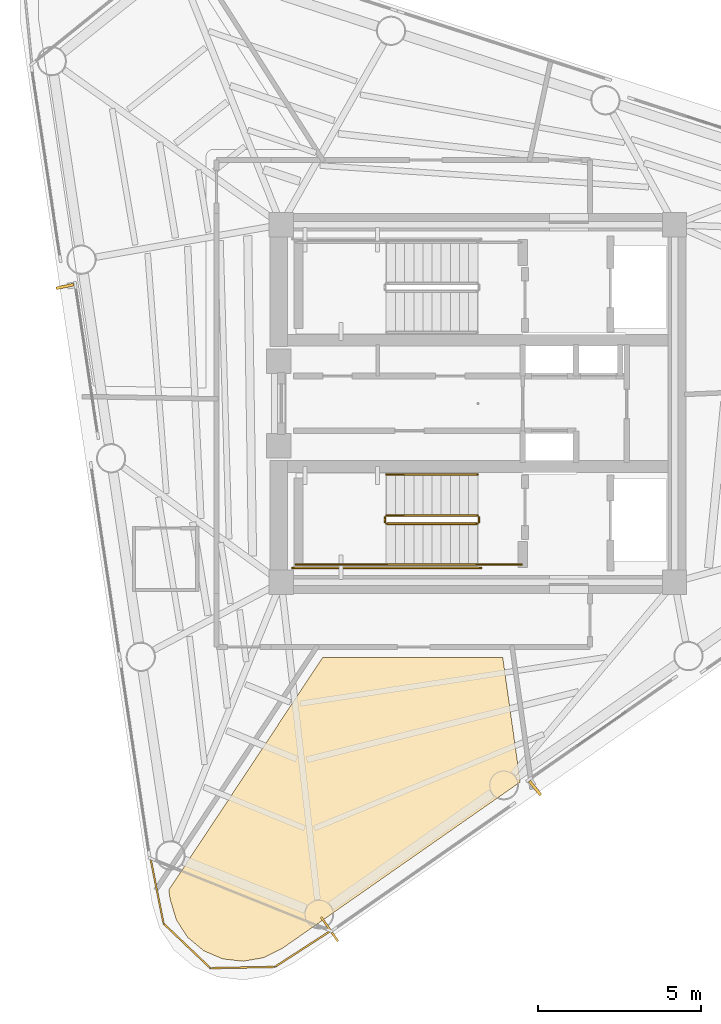
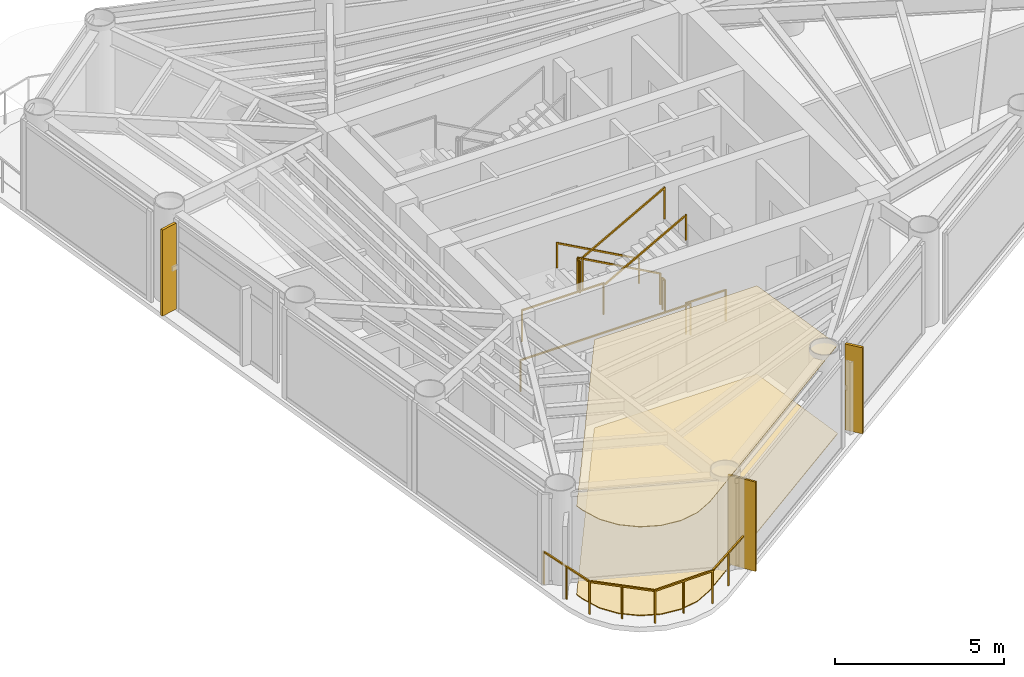
# One storey, part 7 of 10: 10 railings, 3 coverings, 2 shading devices.
"""IFC4 building model written with IfcOpenShell, lengths in metres."""

from ifc_helpers import new_model, si_unit, direction, frame, origin, origin_2d, place, context, subcontext, project, spatial, polyline, rectangle, outline, extrude, source, transform, mapped, material, layer, layer_set, material_profile, profile_set, type_object, element, save


model = new_model("IFC4")

# Units and contexts
model_context = context("Model", 3, precision=1e-05, world=origin(), true_north=direction((0.0, 1.0)))
body_context = subcontext(model_context, "Body", "Model", "MODEL_VIEW")
ifc_project = project(units=[si_unit("LENGTHUNIT", "METRE"), si_unit("AREAUNIT", "SQUARE_METRE"), si_unit("VOLUMEUNIT", "CUBIC_METRE"), si_unit("PLANEANGLEUNIT", "RADIAN"), si_unit("MASSUNIT", "GRAM", prefix="KILO")], contexts=[model_context])

# Site, building, storey
site_placement = place(None, origin())
site = spatial("IfcSite", under=ifc_project, at=site_placement, CompositionType="ELEMENT")
building_placement = place(site_placement, origin())
building = spatial("IfcBuilding", under=site, at=building_placement, Name="Yunling Apex Tower", CompositionType="ELEMENT")
storey_placement = place(building_placement, frame((0.0, 0.0, 277.949951171875)))
storey = spatial("IfcBuildingStorey", under=building, at=storey_placement, Name="L68", CompositionType="ELEMENT", Elevation=277.949951171875)

# Coverings
ifc_material_1 = material(Name="Acoustic mineral fibre ceiling")
ifc_layer_1 = layer(ifc_material_1, 0.02490234375)
ifc_layer_set_1 = layer_set([ifc_layer_1], Name="Acoustic mineral fibre ceiling")
covering_type_1 = type_object("IfcCoveringType", Name="CV-CLG-1", PredefinedType="CEILING", material=ifc_layer_set_1)
covering_1_placement = place(storey_placement, frame((0.0, 0.0, 3.195068359375)))
element("IfcCovering", 1, at=covering_1_placement, inside=storey, type_object=covering_type_1, Name="CV-CL-SP-L68-AMN2", PredefinedType="CEILING", context=body_context, shape_type="SweptSolid", body=[
    extrude(outline(polyline([(1.3037109375, -11.64697265625), (-5.991943359375, -16.747802734375), (-6.5966796875, -17.05126953125), (-7.221923828125, -17.16162109375), (-7.8525390625, -17.08837890625), (-8.435791015625, -16.83740234375), (-8.922607421875, -16.43017578125), (-9.272705078125, -15.900390625), (-9.468505859375, -15.2529296875), (-9.510986328125, -14.967529296875), (-4.7802734375, -7.820068359375), (0.765869140625, -7.820068359375), (1.3037109375, -11.64697265625)])), origin(), (0.0, 0.0, 1.0), 0.02490234375),
])
ifc_material_2 = material(Name="Polished granite stone", Category="masonry")
ifc_layer_2 = layer(ifc_material_2, 0.030029296875)
ifc_layer_set_2 = layer_set([ifc_layer_2], Name="Polished granite stone")
covering_type_2 = type_object("IfcCoveringType", Name="CV-FLR-1", PredefinedType="FLOORING", material=ifc_layer_set_2)
covering_2_placement = place(storey_placement, origin())
element("IfcCovering", 2, at=covering_2_placement, inside=storey, type_object=covering_type_2, Name="CV-FL-SP-L68-AMN2", PredefinedType="FLOORING", context=body_context, shape_type="SweptSolid", body=[
    extrude(outline(polyline([(1.3037109375, -11.64697265625), (-5.991943359375, -16.747802734375), (-6.5966796875, -17.05126953125), (-7.221923828125, -17.16162109375), (-7.8525390625, -17.08837890625), (-8.435791015625, -16.83740234375), (-8.922607421875, -16.43017578125), (-9.272705078125, -15.900390625), (-9.468505859375, -15.2529296875), (-9.510986328125, -14.967529296875), (-4.7802734375, -7.820068359375), (0.765869140625, -7.820068359375), (1.3037109375, -11.64697265625)])), origin(), (0.0, 0.0, 1.0), 0.030029296875),
])

# Railings
ifc_material_3 = material(Name="Bronze anodised aluminium", Category="aluminium")
railing_type_1 = type_object("IfcRailingType", Name="RL-BAL-1200", PredefinedType="BALUSTRADE", material=ifc_material_3)
railing_1_placement = place(storey_placement, frame((-4.528564453125, -16.22509765625, 0.0)))
element("IfcRailing", 3, at=railing_1_placement, inside=storey, type_object=railing_type_1, Name="RL-CRNSILL-L68-3", PredefinedType="BALUSTRADE", context=body_context, shape_type="SweptSolid", body=[
    extrude(rectangle(XDim=0.0439453125, YDim=0.0439453125, at=origin_2d()), origin(), (0.0, 0.0, 1.0), 1.199951171875),
    extrude(rectangle(XDim=0.0439453125, YDim=0.0439453125, at=origin_2d()), frame((-1.718017578125, -1.109130859375, 0.0)), (0.0, 0.0, 1.0), 1.199951171875),
    extrude(rectangle(XDim=0.050048828125, YDim=0.050048828125, at=origin_2d()), frame((-0.0322265625, -0.020751953125, 1.1748046875), z_axis=(-0.840133449473, -0.542379744345, 0.0), x_axis=(0.542379744345, -0.840133449473, 0.0)), (0.0, 0.0, 1.0), 1.96826171875),
    extrude(rectangle(XDim=0.0439453125, YDim=0.0439453125, at=origin_2d()), frame((-0.85888671875, -0.5546875, 0.0)), (0.0, 0.0, 1.0), 1.14599609375),
    extrude(rectangle(XDim=0.0439453125, YDim=0.0439453125, at=origin_2d()), frame((-3.700439453125, -1.147705078125, 0.0)), (0.0, 0.0, 1.0), 1.199951171875),
    extrude(rectangle(XDim=0.050048828125, YDim=0.050048828125, at=origin_2d()), frame((-1.75634765625, -1.10986328125, 1.1748046875), z_axis=(-0.999810744366, -0.019454445518, 0.0), x_axis=(0.019454445518, -0.999810744366, 0.0)), (0.0, 0.0, 1.0), 1.90625),
    extrude(rectangle(XDim=0.0439453125, YDim=0.0439453125, at=origin_2d()), frame((-2.709228515625, -1.12841796875, 0.0)), (0.0, 0.0, 1.0), 1.14599609375),
    extrude(rectangle(XDim=0.0439453125, YDim=0.0439453125, at=origin_2d()), frame((-5.141845703125, 0.223388671875, 0.0)), (0.0, 0.0, 1.0), 1.199951171875),
    extrude(rectangle(XDim=0.050048828125, YDim=0.050048828125, at=origin_2d()), frame((-3.728271484375, -1.121337890625, 1.1748046875), z_axis=(-0.72455806169, 0.689213765998, 0.0), x_axis=(-0.689213765998, -0.72455806169, 0.0)), (0.0, 0.0, 1.0), 1.91259765625),
    extrude(rectangle(XDim=0.0439453125, YDim=0.0439453125, at=origin_2d()), frame((-4.421142578125, -0.462158203125, 0.0)), (0.0, 0.0, 1.0), 1.14599609375),
    extrude(rectangle(XDim=0.0439453125, YDim=0.0439453125, at=origin_2d()), frame((-5.542236328125, 2.228271484375, 0.0)), (0.0, 0.0, 1.0), 1.199951171875),
    extrude(rectangle(XDim=0.050048828125, YDim=0.050048828125, at=origin_2d()), frame((-5.1494140625, 0.260986328125, 1.1748046875), z_axis=(-0.195840554381, 0.980635751571, 0.0), x_axis=(-0.980635751571, -0.195840554381, 0.0)), (0.0, 0.0, 1.0), 1.9677734375),
    extrude(rectangle(XDim=0.0439453125, YDim=0.0439453125, at=origin_2d()), frame((-5.342041015625, 1.225830078125, 0.0)), (0.0, 0.0, 1.0), 1.14599609375),
])
ifc_material_4 = material(Name="Steel Q355B", Category="steel")
railing_type_2 = type_object("IfcRailingType", Name="RL-GRD-1150", PredefinedType="GUARDRAIL", material=ifc_material_4)
railing_2_placement = place(storey_placement, frame((-0.010009765625, -3.449951171875, 0.154541015625)))
element("IfcRailing", 4, at=railing_2_placement, inside=storey, type_object=railing_type_2, Name="L68 ST-2 stair guard 1", PredefinedType="GUARDRAIL", context=body_context, shape_type="SweptSolid", body=[
    extrude(rectangle(XDim=0.0439453125, YDim=0.0439453125, at=origin_2d()), origin(), (0.0, 0.0, 1.0), 1.14990234375),
    extrude(rectangle(XDim=0.0439453125, YDim=0.0439453125, at=origin_2d()), frame((-2.800048828125, 0.0, 1.54541015625)), (0.0, 0.0, 1.0), 1.14990234375),
    extrude(rectangle(XDim=0.050048828125, YDim=0.050048828125, at=origin_2d()), frame((-0.033447265625, 0.0, 1.143310546875), z_axis=(-0.875504190374, 0.0, 0.483210526207), x_axis=(0.0, -1.0, 0.0)), (0.0, 0.0, 1.0), 3.12158203125),
])
railing_3_placement = place(storey_placement, frame((-2.860107421875, -3.5, 1.699951171875)))
element("IfcRailing", 5, at=railing_3_placement, inside=storey, type_object=railing_type_2, Name="L68 ST-2 stair guard 2", PredefinedType="GUARDRAIL", context=body_context, shape_type="SweptSolid", body=[
    extrude(rectangle(XDim=0.0439453125, YDim=0.0439453125, at=origin_2d()), origin(), (0.0, 0.0, 1.0), 1.14990234375),
    extrude(rectangle(XDim=0.0439453125, YDim=0.0439453125, at=origin_2d()), frame((0.0, -0.14990234375, 0.0)), (0.0, 0.0, 1.0), 1.14990234375),
    extrude(rectangle(XDim=0.050048828125, YDim=0.050048828125, at=origin_2d()), frame((0.0, -0.038330078125, 1.125), z_axis=(0.0, -1.0, 0.0), x_axis=(1.0, 0.0, 0.0)), (0.0, 0.0, 1.0), 0.0732421875),
])
railing_4_placement = place(storey_placement, frame((-2.81005859375, -4.9599609375, 1.699951171875)))
element("IfcRailing", 6, at=railing_4_placement, inside=storey, type_object=railing_type_2, Name="L68 ST-2 stair guard 3", PredefinedType="GUARDRAIL", context=body_context, shape_type="SweptSolid", body=[
    extrude(rectangle(XDim=0.0439453125, YDim=0.0439453125, at=origin_2d()), origin(), (0.0, 0.0, 1.0), 1.14990234375),
    extrude(rectangle(XDim=0.0439453125, YDim=0.0439453125, at=origin_2d()), frame((-2.7900390625, 0.0, 0.0)), (0.0, 0.0, 1.0), 1.14990234375),
    extrude(rectangle(XDim=0.050048828125, YDim=0.050048828125, at=origin_2d()), frame((-0.038330078125, 0.0, 1.125), z_axis=(-1.0, 0.0, 0.0), x_axis=(0.0, -1.0, 0.0)), (0.0, 0.0, 1.0), 2.71337890625),
])
railing_5_placement = place(storey_placement, frame((-2.81005859375, -3.699951171875, 1.8544921875)))
element("IfcRailing", 7, at=railing_5_placement, inside=storey, type_object=railing_type_2, Name="L68 ST-2 stair guard 4", PredefinedType="GUARDRAIL", context=body_context, shape_type="SweptSolid", body=[
    extrude(rectangle(XDim=0.0439453125, YDim=0.0439453125, at=origin_2d()), origin(), (0.0, 0.0, 1.0), 1.14990234375),
    extrude(rectangle(XDim=0.0439453125, YDim=0.0439453125, at=origin_2d()), frame((2.800048828125, 0.0, 1.545654296875)), (0.0, 0.0, 1.0), 1.14990234375),
    extrude(rectangle(XDim=0.050048828125, YDim=0.050048828125, at=origin_2d()), frame((0.033447265625, 0.0, 1.143310546875), z_axis=(0.875471895205, 0.0, 0.483269035534), x_axis=(0.0, 1.0, 0.0)), (0.0, 0.0, 1.0), 3.12158203125),
])
railing_6_placement = place(storey_placement, frame((0.0400390625, -3.5, 0.0)))
element("IfcRailing", 8, at=railing_6_placement, inside=storey, type_object=railing_type_2, Name="L68 ST-2 stair guard 5", PredefinedType="GUARDRAIL", context=body_context, shape_type="SweptSolid", body=[
    extrude(rectangle(XDim=0.0439453125, YDim=0.0439453125, at=origin_2d()), origin(), (0.0, 0.0, 1.0), 1.14990234375),
    extrude(rectangle(XDim=0.0439453125, YDim=0.0439453125, at=origin_2d()), frame((0.0, -0.14990234375, 0.0)), (0.0, 0.0, 1.0), 1.14990234375),
    extrude(rectangle(XDim=0.050048828125, YDim=0.050048828125, at=origin_2d()), frame((0.0, -0.038330078125, 1.125), z_axis=(0.0, -1.0, 0.0), x_axis=(1.0, 0.0, 0.0)), (0.0, 0.0, 1.0), 0.0732421875),
])
railing_7_placement = place(storey_placement, frame((1.35009765625, -4.9599609375, 0.0)))
element("IfcRailing", 9, at=railing_7_placement, inside=storey, type_object=railing_type_2, Name="L68 ST-2 stair guard 6", PredefinedType="GUARDRAIL", context=body_context, shape_type="SweptSolid", body=[
    extrude(rectangle(XDim=0.0439453125, YDim=0.0439453125, at=origin_2d()), origin(), (0.0, 0.0, 1.0), 1.14990234375),
    extrude(rectangle(XDim=0.0439453125, YDim=0.0439453125, at=origin_2d()), frame((-1.360107421875, 0.0, 0.0)), (0.0, 0.0, 1.0), 1.14990234375),
    extrude(rectangle(XDim=0.050048828125, YDim=0.050048828125, at=origin_2d()), frame((-0.038330078125, 0.0, 1.125), z_axis=(-1.0, 0.0, 0.0), x_axis=(0.0, -1.0, 0.0)), (0.0, 0.0, 1.0), 1.283447265625),
])
railing_8_placement = place(storey_placement, frame((0.090087890625, -5.06005859375, 0.0)))
element("IfcRailing", 10, at=railing_8_placement, inside=storey, type_object=railing_type_2, Name="L68 ST-2 stair guard 7", PredefinedType="GUARDRAIL", context=body_context, shape_type="SweptSolid", body=[
    extrude(rectangle(XDim=0.0439453125, YDim=0.0439453125, at=origin_2d()), origin(), (0.0, 0.0, 1.0), 1.14990234375),
    extrude(rectangle(XDim=0.0439453125, YDim=0.0439453125, at=origin_2d()), frame((-5.7900390625, 0.0, 0.0)), (0.0, 0.0, 1.0), 1.14990234375),
    extrude(rectangle(XDim=0.050048828125, YDim=0.050048828125, at=origin_2d()), frame((-0.038330078125, 0.0, 1.125), z_axis=(-1.0, 0.0, 0.0), x_axis=(0.0, -1.0, 0.0)), (0.0, 0.0, 1.0), 5.71337890625),
])
ifc_material_5 = material(Name="Silver anodised aluminium", Category="aluminium")
railing_type_3 = type_object("IfcRailingType", Name="RL-HND-900", PredefinedType="HANDRAIL", material=ifc_material_5)
railing_9_placement = place(storey_placement, frame((-0.010009765625, -2.18994140625, 0.154541015625)))
element("IfcRailing", 11, at=railing_9_placement, inside=storey, type_object=railing_type_3, Name="L68 ST-2 stair handrail 1", PredefinedType="HANDRAIL", context=body_context, shape_type="SweptSolid", body=[
    extrude(rectangle(XDim=0.0439453125, YDim=0.0439453125, at=origin_2d()), origin(), (0.0, 0.0, 1.0), 0.919921875),
    extrude(rectangle(XDim=0.0439453125, YDim=0.0439453125, at=origin_2d()), frame((-2.800048828125, 0.0, 1.54541015625)), (0.0, 0.0, 1.0), 0.919921875),
    extrude(rectangle(XDim=0.050048828125, YDim=0.050048828125, at=origin_2d()), frame((-0.033447265625, 0.0, 0.913330078125), z_axis=(-0.875504190374, 0.0, 0.483210526207), x_axis=(0.0, -1.0, 0.0)), (0.0, 0.0, 1.0), 3.12158203125),
])
railing_10_placement = place(storey_placement, frame((-2.81005859375, -4.9599609375, 1.8544921875)))
element("IfcRailing", 12, at=railing_10_placement, inside=storey, type_object=railing_type_3, Name="L68 ST-2 stair handrail 2", PredefinedType="HANDRAIL", context=body_context, shape_type="SweptSolid", body=[
    extrude(rectangle(XDim=0.0439453125, YDim=0.0439453125, at=origin_2d()), origin(), (0.0, 0.0, 1.0), 0.919921875),
    extrude(rectangle(XDim=0.0439453125, YDim=0.0439453125, at=origin_2d()), frame((2.800048828125, 0.0, 1.545654296875)), (0.0, 0.0, 1.0), 0.919921875),
    extrude(rectangle(XDim=0.050048828125, YDim=0.050048828125, at=origin_2d()), frame((0.033447265625, 0.0, 0.913330078125), z_axis=(0.875471895205, 0.0, 0.483269035534), x_axis=(0.0, 1.0, 0.0)), (0.0, 0.0, 1.0), 3.12158203125),
])

# Covering
ifc_layer_3 = layer(ifc_material_3, 0.0400390625)
ifc_layer_set_3 = layer_set([ifc_layer_3], Name="Bronze anodised aluminium")
covering_type_3 = type_object("IfcCoveringType", Name="CV-CLD-1", PredefinedType="CLADDING", material=ifc_layer_set_3)
shared_shape_1 = source(origin(), body_context, "Body", "SweptSolid", [
    extrude(rectangle(XDim=0.06005859375, YDim=0.89990234375, at=origin_2d()), origin(), (0.0, 0.0, 1.0), 3.219970703125),
])
covering_3_placement = place(storey_placement, frame((-4.56298828125, -16.17578125, 0.0), z_axis=(0.0, 0.0, 1.0), x_axis=(0.819552276527, 0.573004420611, 0.0)))
element("IfcCovering", 13, at=covering_3_placement, inside=storey, type_object=covering_type_3, Name="CV-CLD-L68", PredefinedType="CLADDING", context=body_context, shape_type="MappedRepresentation", body=[
    mapped(shared_shape_1, transform((0.0, 0.0, 0.0), scale=1.0)),
])

# Shading devices
ifc_material_profile = material_profile(ifc_material_3, rectangle(XDim=0.0849609375, YDim=0.550048828125, at=origin_2d()))
ifc_profile_set = profile_set([ifc_material_profile], Name="Bronze anodised aluminium")
shading_device_type = type_object("IfcShadingDeviceType", Name="FN-BRZ-3", PredefinedType="USERDEFINED", material=ifc_profile_set)
shared_shape_2 = source(origin(), body_context, "Body", "SweptSolid", [
    extrude(rectangle(XDim=0.0849609375, YDim=0.550048828125, at=origin_2d()), origin(), (0.0, 0.0, 1.0), 3.10009765625),
])
for number, where, z_axis, x_axis, name in (
    (14, (1.76171875, -11.8330078125, 0.06005859375), (0.0, 0.0, 1.0), (0.780321270022, 0.625378857614, 0.0), "CW-L68-F1-B2-FIN-01"),
    (15, (-12.705322265625, 3.598876953125, 0.06005859375), (0.0, 0.0, 1.0), (0.212177672156, -0.977231106463, 0.0), "CW-L68-F3-B2-FIN-01"),
):
    element("IfcShadingDevice", number, at=place(storey_placement, frame(where, z_axis=z_axis, x_axis=x_axis)), inside=storey, type_object=shading_device_type, Name=name, ObjectType="FIN", PredefinedType="USERDEFINED", context=body_context, shape_type="MappedRepresentation", body=[
        mapped(shared_shape_2, transform((0.0, 0.0, 0.0), scale=1.0)),
    ])

save(model, "model.ifc")
